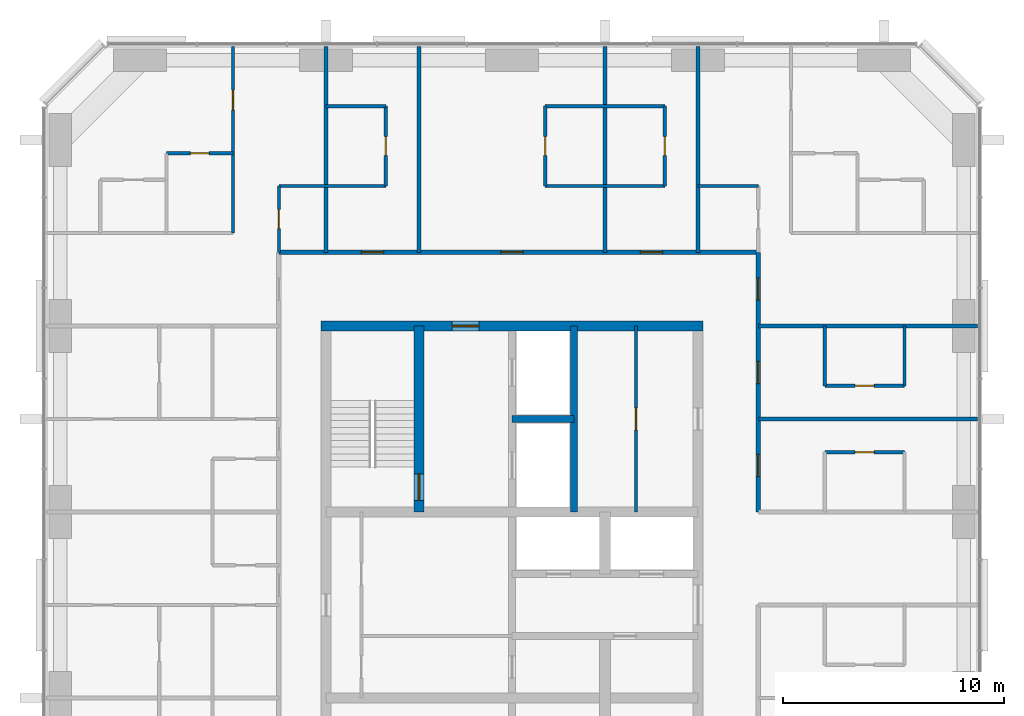
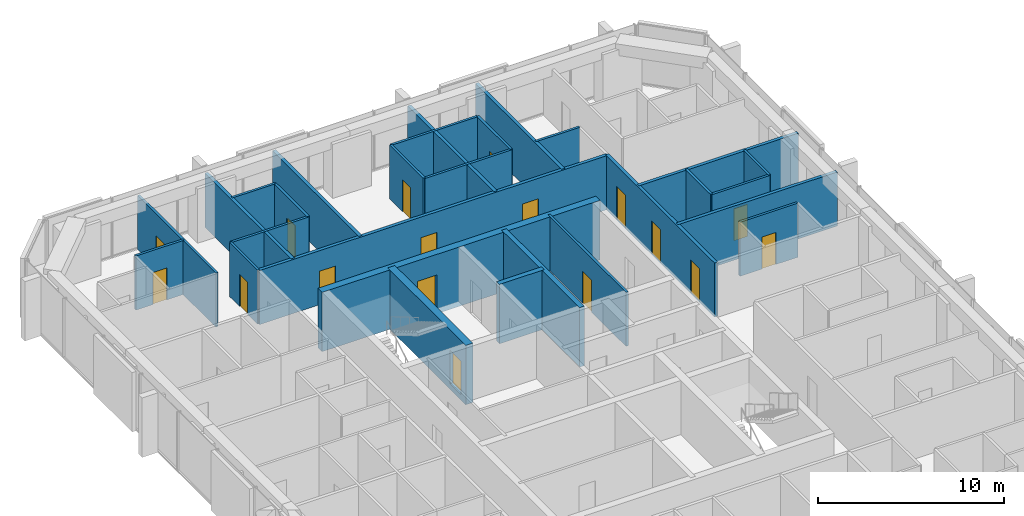
# One storey, part 10 of 12: 28 walls, 17 doors, 17 openings.
"""IFC4 building model written with IfcOpenShell, lengths in metres."""

from ifc_helpers import new_model, si_unit, direction, frame, frame_2d, origin, place, context, subcontext, project, spatial, rectangle, extrude, material, layer, layer_set, type_object, element, fill, save


model = new_model("IFC4")

# Units and contexts
model_context = context("Model", 3, precision=1e-05, world=origin(), true_north=direction((0.0, 1.0)))
body_context = subcontext(model_context, "Body", "Model", "MODEL_VIEW")
ifc_project = project(units=[si_unit("LENGTHUNIT", "METRE"), si_unit("AREAUNIT", "SQUARE_METRE"), si_unit("VOLUMEUNIT", "CUBIC_METRE"), si_unit("PLANEANGLEUNIT", "RADIAN"), si_unit("MASSUNIT", "GRAM", prefix="KILO")], contexts=[model_context])

# Site, building, storey
site_placement = place(None, origin())
site = spatial("IfcSite", under=ifc_project, at=site_placement, CompositionType="ELEMENT")
building_placement = place(site_placement, origin())
building = spatial("IfcBuilding", under=site, at=building_placement, Name="Dunama Terrace Hotel", CompositionType="ELEMENT")
storey_placement = place(building_placement, frame((0.0, 0.0, 252.89990234375)))
storey = spatial("IfcBuildingStorey", under=building, at=storey_placement, Name="L65", CompositionType="ELEMENT", Elevation=252.89990234375)

# Wall, opening, door
ifc_material_1 = material(Name="Gypsum board partition", Category="masonry")
ifc_layer_1 = layer(ifc_material_1, 0.14990234375)
ifc_layer_set_1 = layer_set([ifc_layer_1], Name="Bathroom partition 150")
wall_type_1 = type_object("IfcWallType", Name="Bathroom partition 150", PredefinedType="PARTITIONING", material=ifc_layer_set_1)
wall_1_placement = place(storey_placement, frame((23.074951171875, 45.324951171875, 0.0), z_axis=(0.0, 0.0, 1.0), x_axis=(0.0, 1.0, 0.0)))
wall_1 = element("IfcWall", 1, at=wall_1_placement, inside=storey, type_object=wall_type_1, Name="Bathroom partition 150 L65", PredefinedType="PARTITIONING", context=body_context, shape_type="SweptSolid", body=[
    extrude(rectangle(XDim=3.0, YDim=0.14990234375, at=frame_2d((1.5, 0.0))), origin(), (0.0, 0.0, 1.0), 3.550048828125),
])
opening_1_placement = place(wall_1_placement, frame((1.074951171875, 0.0, 0.0)))
opening_1 = element("IfcOpeningElement", 2, at=opening_1_placement, cuts=wall_1, Name="Opening L65-67-060", PredefinedType="OPENING", context=body_context, shape_type="SweptSolid", body=[
    extrude(rectangle(XDim=0.85009765625, YDim=2.10009765625, at=frame_2d((0.425048828125, 1.050048828125))), frame((0.0, 0.0849609375, 0.0), z_axis=(0.0, -1.0, 0.0), x_axis=(1.0, 0.0, 0.0)), (0.0, 0.0, 1.0), 0.169921875),
])
ifc_material_2 = material(Name="Timber door with steel frame", Category="steel")
door_type_1 = type_object("IfcDoorType", Name="Bathroom door 850", OperationType="SINGLE_SWING_LEFT", PredefinedType="DOOR", material=ifc_material_2)
door_1_placement = place(opening_1_placement, frame((0.85009765625, 0.0, 0.0), z_axis=(0.0, 0.0, 1.0), x_axis=(-1.0, 0.0, 0.0)))
door_1 = element("IfcDoor", 3, at=door_1_placement, inside=storey, type_object=door_type_1, Name="Door to powder room L65-67-060, type D2", OperationType="SINGLE_SWING_RIGHT", OverallHeight=2.10009765625, OverallWidth=0.85009765625, PredefinedType="DOOR", context=body_context, shape_type="SweptSolid", body=[
    extrude(rectangle(XDim=0.85009765625, YDim=2.10009765625, at=frame_2d((0.425048828125, 1.050048828125))), frame((0.0, 0.025146484375, 0.0), z_axis=(0.0, -1.0, 0.0), x_axis=(1.0, 0.0, 0.0)), (0.0, 0.0, 1.0), 0.050048828125),
])
fill(opening_1, door_1)

wall_2_placement = place(storey_placement, frame((27.89990234375, 48.324951171875, 0.0), z_axis=(0.0, 0.0, 1.0), x_axis=(0.0, 1.0, 0.0)))
wall_2 = element("IfcWall", 4, at=wall_2_placement, inside=storey, type_object=wall_type_1, Name="Bathroom partition 150 L65", PredefinedType="PARTITIONING", context=body_context, shape_type="SweptSolid", body=[
    extrude(rectangle(XDim=3.60009765625, YDim=0.14990234375, at=frame_2d((1.800048828125, 0.0))), origin(), (0.0, 0.0, 1.0), 3.550048828125),
])
opening_2_placement = place(wall_2_placement, frame((1.375, 0.0, 0.0)))
opening_2 = element("IfcOpeningElement", 5, at=opening_2_placement, cuts=wall_2, Name="Opening L65-67-024", PredefinedType="OPENING", context=body_context, shape_type="SweptSolid", body=[
    extrude(rectangle(XDim=0.85009765625, YDim=2.10009765625, at=frame_2d((0.425048828125, 1.050048828125))), frame((0.0, 0.0849609375, 0.0), z_axis=(0.0, -1.0, 0.0), x_axis=(1.0, 0.0, 0.0)), (0.0, 0.0, 1.0), 0.169921875),
])
door_2_placement = place(opening_2_placement, origin())
door_2 = element("IfcDoor", 6, at=door_2_placement, inside=storey, type_object=door_type_1, Name="Door to en-suite bathroom L65-67-024, type D2", OperationType="SINGLE_SWING_RIGHT", OverallHeight=2.10009765625, OverallWidth=0.85009765625, PredefinedType="DOOR", context=body_context, shape_type="SweptSolid", body=[
    extrude(rectangle(XDim=0.85009765625, YDim=2.10009765625, at=frame_2d((0.425048828125, 1.050048828125))), frame((0.0, 0.02490234375, 0.0), z_axis=(0.0, -1.0, 0.0), x_axis=(1.0, 0.0, 0.0)), (0.0, 0.0, 1.0), 0.050048828125),
])
fill(opening_2, door_2)

wall_3_placement = place(storey_placement, frame((35.10009765625, 48.324951171875, 0.0), z_axis=(0.0, 0.0, 1.0), x_axis=(0.0, 1.0, 0.0)))
wall_3 = element("IfcWall", 7, at=wall_3_placement, inside=storey, type_object=wall_type_1, Name="Bathroom partition 150 L65", PredefinedType="PARTITIONING", context=body_context, shape_type="SweptSolid", body=[
    extrude(rectangle(XDim=3.60009765625, YDim=0.14990234375, at=frame_2d((1.800048828125, 0.0))), origin(), (0.0, 0.0, 1.0), 3.550048828125),
])
opening_3_placement = place(wall_3_placement, frame((1.375, 0.0, 0.0)))
opening_3 = element("IfcOpeningElement", 8, at=opening_3_placement, cuts=wall_3, Name="Opening L65-67-026", PredefinedType="OPENING", context=body_context, shape_type="SweptSolid", body=[
    extrude(rectangle(XDim=0.85009765625, YDim=2.10009765625, at=frame_2d((0.425048828125, 1.050048828125))), frame((0.0, 0.0849609375, 0.0), z_axis=(0.0, -1.0, 0.0), x_axis=(1.0, 0.0, 0.0)), (0.0, 0.0, 1.0), 0.169921875),
])
door_3_placement = place(opening_3_placement, frame((0.85009765625, 0.0, 0.0), z_axis=(0.0, 0.0, 1.0), x_axis=(-1.0, 0.0, 0.0)))
door_3 = element("IfcDoor", 9, at=door_3_placement, inside=storey, type_object=door_type_1, Name="Door to en-suite bathroom L65-67-026, type D2", OperationType="SINGLE_SWING_LEFT", OverallHeight=2.10009765625, OverallWidth=0.85009765625, PredefinedType="DOOR", context=body_context, shape_type="SweptSolid", body=[
    extrude(rectangle(XDim=0.85009765625, YDim=2.10009765625, at=frame_2d((0.425048828125, 1.050048828125))), frame((0.0, 0.025146484375, 0.0), z_axis=(0.0, -1.0, 0.0), x_axis=(1.0, 0.0, 0.0)), (0.0, 0.0, 1.0), 0.050048828125),
])
fill(opening_3, door_3)

wall_4_placement = place(storey_placement, frame((40.5, 48.324951171875, 0.0), z_axis=(0.0, 0.0, 1.0), x_axis=(0.0, 1.0, 0.0)))
wall_4 = element("IfcWall", 10, at=wall_4_placement, inside=storey, type_object=wall_type_1, Name="Bathroom partition 150 L65", PredefinedType="PARTITIONING", context=body_context, shape_type="SweptSolid", body=[
    extrude(rectangle(XDim=3.60009765625, YDim=0.14990234375, at=frame_2d((1.800048828125, 0.0))), origin(), (0.0, 0.0, 1.0), 3.550048828125),
])
opening_4_placement = place(wall_4_placement, frame((1.375, 0.0, 0.0)))
opening_4 = element("IfcOpeningElement", 11, at=opening_4_placement, cuts=wall_4, Name="Opening L65-67-028", PredefinedType="OPENING", context=body_context, shape_type="SweptSolid", body=[
    extrude(rectangle(XDim=0.85009765625, YDim=2.10009765625, at=frame_2d((0.425048828125, 1.050048828125))), frame((0.0, 0.0849609375, 0.0), z_axis=(0.0, -1.0, 0.0), x_axis=(1.0, 0.0, 0.0)), (0.0, 0.0, 1.0), 0.169921875),
])
door_4_placement = place(opening_4_placement, origin())
door_4 = element("IfcDoor", 12, at=door_4_placement, inside=storey, type_object=door_type_1, Name="Door to en-suite bathroom L65-67-028, type D2", OperationType="SINGLE_SWING_RIGHT", OverallHeight=2.10009765625, OverallWidth=0.85009765625, PredefinedType="DOOR", context=body_context, shape_type="SweptSolid", body=[
    extrude(rectangle(XDim=0.85009765625, YDim=2.10009765625, at=frame_2d((0.425048828125, 1.050048828125))), frame((0.0, 0.02490234375, 0.0), z_axis=(0.0, -1.0, 0.0), x_axis=(1.0, 0.0, 0.0)), (0.0, 0.0, 1.0), 0.050048828125),
])
fill(opening_4, door_4)

# Walls
for number, where, z_axis, x_axis, name in (
    (13, (47.72509765625, 39.300048828125, 0.0), (0.0, 0.0, 1.0), (0.0, 1.0, 0.0), "Bathroom partition 150 L65"),
    (14, (51.324951171875, 39.300048828125, 0.0), (0.0, 0.0, 1.0), (0.0, 1.0, 0.0), "Bathroom partition 150 L65"),
):
    element("IfcWall", number, at=place(storey_placement, frame(where, z_axis=z_axis, x_axis=x_axis)), inside=storey, type_object=wall_type_1, Name=name, PredefinedType="PARTITIONING", context=body_context, shape_type="SweptSolid", body=[
        extrude(rectangle(XDim=2.699951171875, YDim=0.14990234375, at=frame_2d((1.35009765625, 0.0))), origin(), (0.0, 0.0, 1.0), 3.550048828125),
    ])

# Wall, opening, door
wall_5_placement = place(storey_placement, frame((47.72509765625, 36.300048828125, 0.0), z_axis=(0.0, 0.0, 1.0), x_axis=(1.0, 0.0, 0.0)))
wall_5 = element("IfcWall", 15, at=wall_5_placement, inside=storey, type_object=wall_type_1, Name="Bathroom partition 150 L65", PredefinedType="PARTITIONING", context=body_context, shape_type="SweptSolid", body=[
    extrude(rectangle(XDim=3.599853515625, YDim=0.14990234375, at=frame_2d((1.7998046875, 0.0))), origin(), (0.0, 0.0, 1.0), 3.550048828125),
])
opening_5_placement = place(wall_5_placement, frame((1.375, 0.0, 0.0)))
opening_5 = element("IfcOpeningElement", 16, at=opening_5_placement, cuts=wall_5, Name="Opening L65-67-020", PredefinedType="OPENING", context=body_context, shape_type="SweptSolid", body=[
    extrude(rectangle(XDim=0.85009765625, YDim=2.10009765625, at=frame_2d((0.425048828125, 1.050048828125))), frame((0.0, 0.0849609375, 0.0), z_axis=(0.0, -1.0, 0.0), x_axis=(1.0, 0.0, 0.0)), (0.0, 0.0, 1.0), 0.169921875),
])
door_5_placement = place(opening_5_placement, frame((0.85009765625, 0.0, 0.0), z_axis=(0.0, 0.0, 1.0), x_axis=(-1.0, 0.0, 0.0)))
door_5 = element("IfcDoor", 17, at=door_5_placement, inside=storey, type_object=door_type_1, Name="Door to en-suite bathroom L65-67-020, type D2", OperationType="SINGLE_SWING_RIGHT", OverallHeight=2.10009765625, OverallWidth=0.85009765625, PredefinedType="DOOR", context=body_context, shape_type="SweptSolid", body=[
    extrude(rectangle(XDim=0.85009765625, YDim=2.10009765625, at=frame_2d((0.425048828125, 1.050048828125))), frame((0.0, 0.025146484375, 0.0), z_axis=(0.0, -1.0, 0.0), x_axis=(1.0, 0.0, 0.0)), (0.0, 0.0, 1.0), 0.050048828125),
])
fill(opening_5, door_5)

wall_6_placement = place(storey_placement, frame((47.72509765625, 39.300048828125, 0.0), z_axis=(0.0, 0.0, 1.0), x_axis=(1.0, 0.0, 0.0)))
wall_6 = element("IfcWall", 18, at=wall_6_placement, inside=storey, type_object=wall_type_1, Name="Bathroom partition 150 L65", PredefinedType="PARTITIONING", context=body_context, shape_type="SweptSolid", body=[
    extrude(rectangle(XDim=3.599853515625, YDim=0.14990234375, at=frame_2d((1.7998046875, 0.0))), origin(), (0.0, 0.0, 1.0), 3.550048828125),
])
opening_6_placement = place(wall_6_placement, frame((1.375, 0.0, 0.0)))
opening_6 = element("IfcOpeningElement", 19, at=opening_6_placement, cuts=wall_6, Name="Opening L65-67-022", PredefinedType="OPENING", context=body_context, shape_type="SweptSolid", body=[
    extrude(rectangle(XDim=0.85009765625, YDim=2.10009765625, at=frame_2d((0.425048828125, 1.050048828125))), frame((0.0, 0.0849609375, 0.0), z_axis=(0.0, -1.0, 0.0), x_axis=(1.0, 0.0, 0.0)), (0.0, 0.0, 1.0), 0.169921875),
])
door_6_placement = place(opening_6_placement, origin())
door_6 = element("IfcDoor", 20, at=door_6_placement, inside=storey, type_object=door_type_1, Name="Door to en-suite bathroom L65-67-022, type D2", OperationType="SINGLE_SWING_LEFT", OverallHeight=2.10009765625, OverallWidth=0.85009765625, PredefinedType="DOOR", context=body_context, shape_type="SweptSolid", body=[
    extrude(rectangle(XDim=0.85009765625, YDim=2.10009765625, at=frame_2d((0.425048828125, 1.050048828125))), frame((0.0, 0.02490234375, 0.0), z_axis=(0.0, -1.0, 0.0), x_axis=(1.0, 0.0, 0.0)), (0.0, 0.0, 1.0), 0.050048828125),
])
fill(opening_6, door_6)

# Walls
wall_7_placement = place(storey_placement, frame((23.074951171875, 48.324951171875, 0.0), z_axis=(0.0, 0.0, 1.0), x_axis=(1.0, 0.0, 0.0)))
element("IfcWall", 21, at=wall_7_placement, inside=storey, type_object=wall_type_1, Name="Bathroom partition 150 L65", PredefinedType="PARTITIONING", context=body_context, shape_type="SweptSolid", body=[
    extrude(rectangle(XDim=4.824951171875, YDim=0.14990234375, at=frame_2d((2.41259765625, 0.0))), origin(), (0.0, 0.0, 1.0), 3.550048828125),
])
wall_8_placement = place(storey_placement, frame((35.10009765625, 48.324951171875, 0.0), z_axis=(0.0, 0.0, 1.0), x_axis=(1.0, 0.0, 0.0)))
element("IfcWall", 22, at=wall_8_placement, inside=storey, type_object=wall_type_1, Name="Bathroom partition 150 L65", PredefinedType="PARTITIONING", context=body_context, shape_type="SweptSolid", body=[
    extrude(rectangle(XDim=5.39990234375, YDim=0.14990234375, at=frame_2d((2.699951171875, 0.0))), origin(), (0.0, 0.0, 1.0), 3.550048828125),
])
wall_9_placement = place(storey_placement, frame((42.0, 48.324951171875, 0.0), z_axis=(0.0, 0.0, 1.0), x_axis=(1.0, 0.0, 0.0)))
element("IfcWall", 23, at=wall_9_placement, inside=storey, type_object=wall_type_1, Name="Bathroom partition 150 L65", PredefinedType="PARTITIONING", context=body_context, shape_type="SweptSolid", body=[
    extrude(rectangle(XDim=2.72509765625, YDim=0.14990234375, at=frame_2d((1.362548828125, 0.0))), origin(), (0.0, 0.0, 1.0), 3.550048828125),
])

# Wall, opening, door
wall_10_placement = place(storey_placement, frame((18.0, 49.800048828125, 0.0), z_axis=(0.0, 0.0, 1.0), x_axis=(1.0, 0.0, 0.0)))
wall_10 = element("IfcWall", 24, at=wall_10_placement, inside=storey, type_object=wall_type_1, Name="Bathroom partition 150 L65", PredefinedType="PARTITIONING", context=body_context, shape_type="SweptSolid", body=[
    extrude(rectangle(XDim=3.0, YDim=0.14990234375, at=frame_2d((1.5, 0.0))), origin(), (0.0, 0.0, 1.0), 3.550048828125),
])
opening_7_placement = place(wall_10_placement, frame((1.074951171875, 0.0, 0.0)))
opening_7 = element("IfcOpeningElement", 25, at=opening_7_placement, cuts=wall_10, Name="Opening L65-67-062", PredefinedType="OPENING", context=body_context, shape_type="SweptSolid", body=[
    extrude(rectangle(XDim=0.85009765625, YDim=2.10009765625, at=frame_2d((0.425048828125, 1.050048828125))), frame((0.0, 0.0849609375, 0.0), z_axis=(0.0, -1.0, 0.0), x_axis=(1.0, 0.0, 0.0)), (0.0, 0.0, 1.0), 0.169921875),
])
door_7_placement = place(opening_7_placement, frame((0.85009765625, 0.0, 0.0), z_axis=(0.0, 0.0, 1.0), x_axis=(-1.0, 0.0, 0.0)))
door_7 = element("IfcDoor", 26, at=door_7_placement, inside=storey, type_object=door_type_1, Name="Door to en-suite bathroom L65-67-062, type D2", OperationType="SINGLE_SWING_RIGHT", OverallHeight=2.10009765625, OverallWidth=0.85009765625, PredefinedType="DOOR", context=body_context, shape_type="SweptSolid", body=[
    extrude(rectangle(XDim=0.85009765625, YDim=2.10009765625, at=frame_2d((0.425048828125, 1.050048828125))), frame((0.0, 0.025146484375, 0.0), z_axis=(0.0, -1.0, 0.0), x_axis=(1.0, 0.0, 0.0)), (0.0, 0.0, 1.0), 0.050048828125),
])
fill(opening_7, door_7)

# Walls
wall_11_placement = place(storey_placement, frame((25.199951171875, 51.925048828125, 0.0), z_axis=(0.0, 0.0, 1.0), x_axis=(1.0, 0.0, 0.0)))
element("IfcWall", 27, at=wall_11_placement, inside=storey, type_object=wall_type_1, Name="Bathroom partition 150 L65", PredefinedType="PARTITIONING", context=body_context, shape_type="SweptSolid", body=[
    extrude(rectangle(XDim=2.699951171875, YDim=0.14990234375, at=frame_2d((1.35009765625, 0.0))), origin(), (0.0, 0.0, 1.0), 3.550048828125),
])
wall_12_placement = place(storey_placement, frame((35.10009765625, 51.925048828125, 0.0), z_axis=(0.0, 0.0, 1.0), x_axis=(1.0, 0.0, 0.0)))
element("IfcWall", 28, at=wall_12_placement, inside=storey, type_object=wall_type_1, Name="Bathroom partition 150 L65", PredefinedType="PARTITIONING", context=body_context, shape_type="SweptSolid", body=[
    extrude(rectangle(XDim=5.39990234375, YDim=0.14990234375, at=frame_2d((2.699951171875, 0.0))), origin(), (0.0, 0.0, 1.0), 3.550048828125),
])
ifc_material_3 = material(Name="Concrete C50/60", Category="concrete")
ifc_layer_2 = layer(ifc_material_3, 0.300048828125)
ifc_layer_set_2 = layer_set([ifc_layer_2], Name="Core inner wall 300")
wall_type_2 = type_object("IfcWallType", Name="Core inner wall 300", PredefinedType="SHEAR", material=ifc_layer_set_2)
wall_13_placement = place(storey_placement, frame((36.39990234375, 33.60009765625, -0.349853515625), z_axis=(0.0, 0.0, 1.0), x_axis=(0.0, 1.0, 0.0)))
element("IfcWall", 29, at=wall_13_placement, inside=storey, type_object=wall_type_2, Name="Core inner wall 300 L65", PredefinedType="SHEAR", context=body_context, shape_type="SweptSolid", body=[
    extrude(rectangle(XDim=8.39990234375, YDim=0.300048828125, at=frame_2d((4.199951171875, 0.0))), origin(), (0.0, 0.0, 1.0), 3.89990234375),
])
wall_14_placement = place(storey_placement, frame((33.60009765625, 37.800048828125, -0.349853515625), z_axis=(0.0, 0.0, 1.0), x_axis=(1.0, 0.0, 0.0)))
element("IfcWall", 30, at=wall_14_placement, inside=storey, type_object=wall_type_2, Name="Core inner wall 300 L65", PredefinedType="SHEAR", context=body_context, shape_type="SweptSolid", body=[
    extrude(rectangle(XDim=2.7998046875, YDim=0.300048828125, at=frame_2d((1.39990234375, 0.0))), origin(), (0.0, 0.0, 1.0), 3.89990234375),
])

# Wall, opening, door
ifc_material_4 = material(Name="Concrete C50/60", Category="concrete")
ifc_layer_3 = layer(ifc_material_4, 0.449951171875)
ifc_layer_set_3 = layer_set([ifc_layer_3], Name="Core inner wall 450")
wall_type_3 = type_object("IfcWallType", Name="Core inner wall 450", PredefinedType="SHEAR", material=ifc_layer_set_3)
wall_15_placement = place(storey_placement, frame((29.39990234375, 33.60009765625, -0.349853515625), z_axis=(0.0, 0.0, 1.0), x_axis=(0.0, 1.0, 0.0)))
wall_15 = element("IfcWall", 31, at=wall_15_placement, inside=storey, type_object=wall_type_3, Name="Core inner wall 450 L65", PredefinedType="SHEAR", context=body_context, shape_type="SweptSolid", body=[
    extrude(rectangle(XDim=8.39990234375, YDim=0.449951171875, at=frame_2d((4.199951171875, 0.0))), origin(), (0.0, 0.0, 1.0), 3.89990234375),
])
opening_8_placement = place(wall_15_placement, frame((0.52490234375, 0.0, 0.35009765625)))
opening_8 = element("IfcOpeningElement", 32, at=opening_8_placement, cuts=wall_15, Name="Opening L65-67-001", PredefinedType="OPENING", context=body_context, shape_type="SweptSolid", body=[
    extrude(rectangle(XDim=1.199951171875, YDim=2.199951171875, at=frame_2d((0.60009765625, 1.10009765625))), frame((0.0, 0.23486328125, 0.0), z_axis=(0.0, -1.0, 0.0), x_axis=(1.0, 0.0, 0.0)), (0.0, 0.0, 1.0), 0.469970703125),
])
ifc_material_5 = material(Name="Timber door with steel frame", Category="steel")
door_type_2 = type_object("IfcDoorType", Name="Stair door 1200", OperationType="SINGLE_SWING_LEFT", PredefinedType="DOOR", material=ifc_material_5)
door_8_placement = place(opening_8_placement, origin())
door_8 = element("IfcDoor", 33, at=door_8_placement, inside=storey, type_object=door_type_2, Name="Stair door ST1 L65-67-001, type D5", OperationType="SINGLE_SWING_LEFT", OverallHeight=2.199951171875, OverallWidth=1.199951171875, PredefinedType="DOOR", context=body_context, shape_type="SweptSolid", body=[
    extrude(rectangle(XDim=1.199951171875, YDim=2.199951171875, at=frame_2d((0.60009765625, 1.10009765625))), frame((0.0, 0.02490234375, 0.0), z_axis=(0.0, -1.0, 0.0), x_axis=(1.0, 0.0, 0.0)), (0.0, 0.0, 1.0), 0.050048828125),
])
fill(opening_8, door_8)

ifc_material_6 = material(Name="Concrete C50/60", Category="concrete")
ifc_layer_4 = layer(ifc_material_6, 0.449951171875)
ifc_layer_set_4 = layer_set([ifc_layer_4], Name="Core wall 450")
wall_type_4 = type_object("IfcWallType", Name="Core wall 450", PredefinedType="SHEAR", material=ifc_layer_set_4)
wall_16_placement = place(storey_placement, frame((42.22509765625, 42.0, -0.349853515625), z_axis=(0.0, 0.0, 1.0), x_axis=(-1.0, 0.0, 0.0)))
wall_16 = element("IfcWall", 34, at=wall_16_placement, inside=storey, type_object=wall_type_4, Name="Core wall north L65", PredefinedType="SHEAR", context=body_context, shape_type="SweptSolid", body=[
    extrude(rectangle(XDim=17.25, YDim=0.449951171875, at=frame_2d((8.625, 0.0))), origin(), (0.0, 0.0, 1.0), 3.89990234375),
])
opening_9_placement = place(wall_16_placement, frame((10.125, 0.0, 0.35009765625)))
opening_9 = element("IfcOpeningElement", 35, at=opening_9_placement, cuts=wall_16, Name="Opening L65-67-070", PredefinedType="OPENING", context=body_context, shape_type="SweptSolid", body=[
    extrude(rectangle(XDim=1.199951171875, YDim=2.199951171875, at=frame_2d((0.60009765625, 1.10009765625))), frame((0.0, 0.23486328125, 0.0), z_axis=(0.0, -1.0, 0.0), x_axis=(1.0, 0.0, 0.0)), (0.0, 0.0, 1.0), 0.469970703125),
])
ifc_material_7 = material(Name="Timber door with steel frame", Category="steel")
door_type_3 = type_object("IfcDoorType", Name="Firefighting lobby door 1200", OperationType="SINGLE_SWING_LEFT", PredefinedType="DOOR", material=ifc_material_7)
door_9_placement = place(opening_9_placement, origin())
door_9 = element("IfcDoor", 36, at=door_9_placement, inside=storey, type_object=door_type_3, Name="Door to firefighting lobby L65-67-070, type D4", OperationType="SINGLE_SWING_RIGHT", OverallHeight=2.199951171875, OverallWidth=1.199951171875, PredefinedType="DOOR", context=body_context, shape_type="SweptSolid", body=[
    extrude(rectangle(XDim=1.199951171875, YDim=2.199951171875, at=frame_2d((0.60009765625, 1.10009765625))), frame((0.0, 0.02490234375, 0.0), z_axis=(0.0, -1.0, 0.0), x_axis=(1.0, 0.0, 0.0)), (0.0, 0.0, 1.0), 0.050048828125),
])
fill(opening_9, door_9)

# Wall, openings, doors
ifc_material_8 = material(Name="Concrete blockwork", Category="masonry")
ifc_layer_5 = layer(ifc_material_8, 0.199951171875)
ifc_layer_set_5 = layer_set([ifc_layer_5], Name="Corridor partition 200")
wall_type_5 = type_object("IfcWallType", Name="Corridor partition 200", PredefinedType="PARTITIONING", material=ifc_layer_set_5)
wall_17_placement = place(storey_placement, frame((23.074951171875, 45.324951171875, 0.0), z_axis=(0.0, 0.0, 1.0), x_axis=(1.0, 0.0, 0.0)))
wall_17 = element("IfcWall", 37, at=wall_17_placement, inside=storey, type_object=wall_type_5, Name="Corridor partition 200 L65", PredefinedType="PARTITIONING", context=body_context, shape_type="SweptSolid", body=[
    extrude(rectangle(XDim=21.650146484375, YDim=0.199951171875, at=frame_2d((10.8251953125, 0.0))), origin(), (0.0, 0.0, 1.0), 3.550048828125),
])
opening_10_placement = place(wall_17_placement, frame((3.72509765625, 0.0, 0.0)))
opening_10 = element("IfcOpeningElement", 38, at=opening_10_placement, cuts=wall_17, Name="Opening L65-67-023", PredefinedType="OPENING", context=body_context, shape_type="SweptSolid", body=[
    extrude(rectangle(XDim=1.0, YDim=2.199951171875, at=frame_2d((0.5, 1.10009765625))), frame((0.0, 0.10986328125, 0.0), z_axis=(0.0, -1.0, 0.0), x_axis=(1.0, 0.0, 0.0)), (0.0, 0.0, 1.0), 0.219970703125),
])
opening_11_placement = place(wall_17_placement, frame((10.02490234375, 0.0, 0.0)))
opening_11 = element("IfcOpeningElement", 39, at=opening_11_placement, cuts=wall_17, Name="Opening L65-67-025", PredefinedType="OPENING", context=body_context, shape_type="SweptSolid", body=[
    extrude(rectangle(XDim=1.0, YDim=2.199951171875, at=frame_2d((0.5, 1.10009765625))), frame((0.0, 0.10986328125, 0.0), z_axis=(0.0, -1.0, 0.0), x_axis=(1.0, 0.0, 0.0)), (0.0, 0.0, 1.0), 0.219970703125),
])
opening_12_placement = place(wall_17_placement, frame((16.324951171875, 0.0, 0.0)))
opening_12 = element("IfcOpeningElement", 40, at=opening_12_placement, cuts=wall_17, Name="Opening L65-67-027", PredefinedType="OPENING", context=body_context, shape_type="SweptSolid", body=[
    extrude(rectangle(XDim=1.0, YDim=2.199951171875, at=frame_2d((0.5, 1.10009765625))), frame((0.0, 0.10986328125, 0.0), z_axis=(0.0, -1.0, 0.0), x_axis=(1.0, 0.0, 0.0)), (0.0, 0.0, 1.0), 0.219970703125),
])
ifc_material_9 = material(Name="Timber door with steel frame", Category="steel")
door_type_4 = type_object("IfcDoorType", Name="Guest room door 1000", OperationType="SINGLE_SWING_LEFT", PredefinedType="DOOR", material=ifc_material_9)
door_10_placement = place(opening_10_placement, origin())
door_10 = element("IfcDoor", 41, at=door_10_placement, inside=storey, type_object=door_type_4, Name="Door to studio suite L65-67-023, type D1", OperationType="SINGLE_SWING_RIGHT", OverallHeight=2.199951171875, OverallWidth=1.0, PredefinedType="DOOR", context=body_context, shape_type="SweptSolid", body=[
    extrude(rectangle(XDim=1.0, YDim=2.199951171875, at=frame_2d((0.5, 1.10009765625))), frame((0.0, 0.02490234375, 0.0), z_axis=(0.0, -1.0, 0.0), x_axis=(1.0, 0.0, 0.0)), (0.0, 0.0, 1.0), 0.050048828125),
])
fill(opening_10, door_10)
door_11_placement = place(opening_11_placement, origin())
door_11 = element("IfcDoor", 42, at=door_11_placement, inside=storey, type_object=door_type_4, Name="Door to junior suite L65-67-025, type D1", OperationType="SINGLE_SWING_RIGHT", OverallHeight=2.199951171875, OverallWidth=1.0, PredefinedType="DOOR", context=body_context, shape_type="SweptSolid", body=[
    extrude(rectangle(XDim=1.0, YDim=2.199951171875, at=frame_2d((0.5, 1.10009765625))), frame((0.0, 0.02490234375, 0.0), z_axis=(0.0, -1.0, 0.0), x_axis=(1.0, 0.0, 0.0)), (0.0, 0.0, 1.0), 0.050048828125),
])
fill(opening_11, door_11)
door_12_placement = place(opening_12_placement, origin())
door_12 = element("IfcDoor", 43, at=door_12_placement, inside=storey, type_object=door_type_4, Name="Door to studio suite L65-67-027, type D1", OperationType="SINGLE_SWING_LEFT", OverallHeight=2.199951171875, OverallWidth=1.0, PredefinedType="DOOR", context=body_context, shape_type="SweptSolid", body=[
    extrude(rectangle(XDim=1.0, YDim=2.199951171875, at=frame_2d((0.5, 1.10009765625))), frame((0.0, 0.02490234375, 0.0), z_axis=(0.0, -1.0, 0.0), x_axis=(1.0, 0.0, 0.0)), (0.0, 0.0, 1.0), 0.050048828125),
])
fill(opening_12, door_12)

wall_18_placement = place(storey_placement, frame((44.72509765625, 45.324951171875, 0.0), z_axis=(0.0, 0.0, 1.0), x_axis=(0.0, -1.0, 0.0)))
wall_18 = element("IfcWall", 44, at=wall_18_placement, inside=storey, type_object=wall_type_5, Name="Corridor partition 200 L65", PredefinedType="PARTITIONING", context=body_context, shape_type="SweptSolid", body=[
    extrude(rectangle(XDim=11.724853515625, YDim=0.199951171875, at=frame_2d((5.8623046875, 0.0))), origin(), (0.0, 0.0, 1.0), 3.550048828125),
])
opening_13_placement = place(wall_18_placement, frame((9.125, 0.0, 0.0)))
opening_13 = element("IfcOpeningElement", 45, at=opening_13_placement, cuts=wall_18, Name="Opening L65-67-019", PredefinedType="OPENING", context=body_context, shape_type="SweptSolid", body=[
    extrude(rectangle(XDim=1.0, YDim=2.199951171875, at=frame_2d((0.5, 1.10009765625))), frame((0.0, 0.10986328125, 0.0), z_axis=(0.0, -1.0, 0.0), x_axis=(1.0, 0.0, 0.0)), (0.0, 0.0, 1.0), 0.219970703125),
])
opening_14_placement = place(wall_18_placement, frame((4.925048828125, 0.0, 0.0)))
opening_14 = element("IfcOpeningElement", 46, at=opening_14_placement, cuts=wall_18, Name="Opening L65-67-021", PredefinedType="OPENING", context=body_context, shape_type="SweptSolid", body=[
    extrude(rectangle(XDim=1.0, YDim=2.199951171875, at=frame_2d((0.5, 1.10009765625))), frame((0.0, 0.10986328125, 0.0), z_axis=(0.0, -1.0, 0.0), x_axis=(1.0, 0.0, 0.0)), (0.0, 0.0, 1.0), 0.219970703125),
])
opening_15_placement = place(wall_18_placement, frame((1.162109375, 0.0, 0.0)))
opening_15 = element("IfcOpeningElement", 47, at=opening_15_placement, cuts=wall_18, Name="Opening L65-67-054", PredefinedType="OPENING", context=body_context, shape_type="SweptSolid", body=[
    extrude(rectangle(XDim=1.0, YDim=2.199951171875, at=frame_2d((0.5, 1.10009765625))), frame((0.0, 0.10986328125, 0.0), z_axis=(0.0, -1.0, 0.0), x_axis=(1.0, 0.0, 0.0)), (0.0, 0.0, 1.0), 0.219970703125),
])
door_13_placement = place(opening_13_placement, origin())
door_13 = element("IfcDoor", 48, at=door_13_placement, inside=storey, type_object=door_type_4, Name="Door to studio suite L65-67-019, type D1", OperationType="SINGLE_SWING_LEFT", OverallHeight=2.199951171875, OverallWidth=1.0, PredefinedType="DOOR", context=body_context, shape_type="SweptSolid", body=[
    extrude(rectangle(XDim=1.0, YDim=2.199951171875, at=frame_2d((0.5, 1.10009765625))), frame((0.0, 0.02490234375, 0.0), z_axis=(0.0, -1.0, 0.0), x_axis=(1.0, 0.0, 0.0)), (0.0, 0.0, 1.0), 0.050048828125),
])
fill(opening_13, door_13)
door_14_placement = place(opening_14_placement, origin())
door_14 = element("IfcDoor", 49, at=door_14_placement, inside=storey, type_object=door_type_4, Name="Door to studio suite L65-67-021, type D1", OperationType="SINGLE_SWING_LEFT", OverallHeight=2.199951171875, OverallWidth=1.0, PredefinedType="DOOR", context=body_context, shape_type="SweptSolid", body=[
    extrude(rectangle(XDim=1.0, YDim=2.199951171875, at=frame_2d((0.5, 1.10009765625))), frame((0.0, 0.02490234375, 0.0), z_axis=(0.0, -1.0, 0.0), x_axis=(1.0, 0.0, 0.0)), (0.0, 0.0, 1.0), 0.050048828125),
])
fill(opening_14, door_14)
door_15_placement = place(opening_15_placement, origin())
door_15 = element("IfcDoor", 50, at=door_15_placement, inside=storey, type_object=door_type_4, Name="Door to grand corner suite living room L65-67-054, type D1", OperationType="SINGLE_SWING_LEFT", OverallHeight=2.199951171875, OverallWidth=1.0, PredefinedType="DOOR", context=body_context, shape_type="SweptSolid", body=[
    extrude(rectangle(XDim=1.0, YDim=2.199951171875, at=frame_2d((0.5, 1.10009765625))), frame((0.0, 0.02490234375, 0.0), z_axis=(0.0, -1.0, 0.0), x_axis=(1.0, 0.0, 0.0)), (0.0, 0.0, 1.0), 0.050048828125),
])
fill(opening_15, door_15)

# Walls
ifc_material_10 = material(Name="Concrete blockwork", Category="masonry")
ifc_layer_6 = layer(ifc_material_10, 0.199951171875)
ifc_layer_set_6 = layer_set([ifc_layer_6], Name="Party wall 200")
wall_type_6 = type_object("IfcWallType", Name="Party wall 200", PredefinedType="PARTITIONING", material=ifc_layer_set_6)
for number, where, z_axis, x_axis, name in (
    (51, (25.199951171875, 45.324951171875, 0.0), (0.0, 0.0, 1.0), (0.0, 1.0, 0.0), "Party wall 200 L65"),
    (52, (29.39990234375, 45.324951171875, 0.0), (0.0, 0.0, 1.0), (0.0, 1.0, 0.0), "Party wall 200 L65"),
    (53, (37.800048828125, 45.324951171875, 0.0), (0.0, 0.0, 1.0), (0.0, 1.0, 0.0), "Party wall 200 L65"),
    (54, (42.0, 45.324951171875, 0.0), (0.0, 0.0, 1.0), (0.0, 1.0, 0.0), "Party wall 200 L65"),
):
    element("IfcWall", number, at=place(storey_placement, frame(where, z_axis=z_axis, x_axis=x_axis)), inside=storey, type_object=wall_type_6, Name=name, PredefinedType="PARTITIONING", context=body_context, shape_type="SweptSolid", body=[
        extrude(rectangle(XDim=9.29296875, YDim=0.199951171875, at=frame_2d((4.646484375, 0.0))), origin(), (0.0, 0.0, 1.0), 3.550048828125),
    ])
for number, where, z_axis, x_axis, name in (
    (55, (44.72509765625, 37.800048828125, 0.0), (0.0, 0.0, 1.0), (1.0, 0.0, 0.0), "Party wall 200 L65"),
    (56, (44.72509765625, 42.0, 0.0), (0.0, 0.0, 1.0), (1.0, 0.0, 0.0), "Party wall 200 L65"),
):
    element("IfcWall", number, at=place(storey_placement, frame(where, z_axis=z_axis, x_axis=x_axis)), inside=storey, type_object=wall_type_6, Name=name, PredefinedType="PARTITIONING", context=body_context, shape_type="SweptSolid", body=[
        extrude(rectangle(XDim=9.892822265625, YDim=0.199951171875, at=frame_2d((4.9462890625, 0.0))), origin(), (0.0, 0.0, 1.0), 3.550048828125),
    ])

# Wall, opening, door
ifc_material_11 = material(Name="Gypsum board partition", Category="masonry")
ifc_layer_7 = layer(ifc_material_11, 0.14990234375)
ifc_layer_set_7 = layer_set([ifc_layer_7], Name="Room partition 150")
wall_type_7 = type_object("IfcWallType", Name="Room partition 150", PredefinedType="PARTITIONING", material=ifc_layer_set_7)
wall_19_placement = place(storey_placement, frame((21.0, 46.199951171875, 0.0), z_axis=(0.0, 0.0, 1.0), x_axis=(0.0, 1.0, 0.0)))
wall_19 = element("IfcWall", 57, at=wall_19_placement, inside=storey, type_object=wall_type_7, Name="Room partition 150 L65", PredefinedType="PARTITIONING", context=body_context, shape_type="SweptSolid", body=[
    extrude(rectangle(XDim=8.41796875, YDim=0.14990234375, at=frame_2d((4.208984375, 0.0))), origin(), (0.0, 0.0, 1.0), 3.550048828125),
])
opening_16_placement = place(wall_19_placement, frame((5.550048828125, 0.0, 0.0)))
opening_16 = element("IfcOpeningElement", 58, at=opening_16_placement, cuts=wall_19, Name="Opening L65-67-061", PredefinedType="OPENING", context=body_context, shape_type="SweptSolid", body=[
    extrude(rectangle(XDim=0.89990234375, YDim=2.10009765625, at=frame_2d((0.449951171875, 1.050048828125))), frame((0.0, 0.0849609375, 0.0), z_axis=(0.0, -1.0, 0.0), x_axis=(1.0, 0.0, 0.0)), (0.0, 0.0, 1.0), 0.169921875),
])
ifc_material_12 = material(Name="Timber door with steel frame", Category="steel")
door_type_5 = type_object("IfcDoorType", Name="Suite internal door 900", OperationType="SINGLE_SWING_LEFT", PredefinedType="DOOR", material=ifc_material_12)
door_16_placement = place(opening_16_placement, origin())
door_16 = element("IfcDoor", 59, at=door_16_placement, inside=storey, type_object=door_type_5, Name="Door to grand corner suite bedroom L65-67-061, type D16", OperationType="SINGLE_SWING_LEFT", OverallHeight=2.10009765625, OverallWidth=0.89990234375, PredefinedType="DOOR", context=body_context, shape_type="SweptSolid", body=[
    extrude(rectangle(XDim=0.89990234375, YDim=2.10009765625, at=frame_2d((0.449951171875, 1.050048828125))), frame((0.0, 0.02490234375, 0.0), z_axis=(0.0, -1.0, 0.0), x_axis=(1.0, 0.0, 0.0)), (0.0, 0.0, 1.0), 0.050048828125),
])
fill(opening_16, door_16)

wall_20_placement = place(storey_placement, frame((39.199951171875, 33.60009765625, 0.0), z_axis=(0.0, 0.0, 1.0), x_axis=(0.0, 1.0, 0.0)))
wall_20 = element("IfcWall", 60, at=wall_20_placement, inside=storey, type_object=wall_type_7, Name="Room partition 150 L65", PredefinedType="PARTITIONING", context=body_context, shape_type="SweptSolid", body=[
    extrude(rectangle(XDim=8.39990234375, YDim=0.14990234375, at=frame_2d((4.199951171875, 0.0))), origin(), (0.0, 0.0, 1.0), 3.550048828125),
])
opening_17_placement = place(wall_20_placement, frame((3.699951171875, 0.0, 0.0)))
opening_17 = element("IfcOpeningElement", 61, at=opening_17_placement, cuts=wall_20, Name="Opening L65-67-072", PredefinedType="OPENING", context=body_context, shape_type="SweptSolid", body=[
    extrude(rectangle(XDim=1.0, YDim=2.10009765625, at=frame_2d((0.5, 1.050048828125))), frame((0.0, 0.0849609375, 0.0), z_axis=(0.0, -1.0, 0.0), x_axis=(1.0, 0.0, 0.0)), (0.0, 0.0, 1.0), 0.169921875),
])
ifc_material_13 = material(Name="Timber door with steel frame", Category="steel")
door_type_6 = type_object("IfcDoorType", Name="Service door 1000", OperationType="SINGLE_SWING_LEFT", PredefinedType="DOOR", material=ifc_material_13)
door_17_placement = place(opening_17_placement, frame((1.0, 0.0, 0.0), z_axis=(0.0, 0.0, 1.0), x_axis=(-1.0, 0.0, 0.0)))
door_17 = element("IfcDoor", 62, at=door_17_placement, inside=storey, type_object=door_type_6, Name="Door to luggage store L65-67-072, type D7", OperationType="SINGLE_SWING_RIGHT", OverallHeight=2.10009765625, OverallWidth=1.0, PredefinedType="DOOR", context=body_context, shape_type="SweptSolid", body=[
    extrude(rectangle(XDim=1.0, YDim=2.10009765625, at=frame_2d((0.5, 1.050048828125))), frame((0.0, 0.025146484375, 0.0), z_axis=(0.0, -1.0, 0.0), x_axis=(1.0, 0.0, 0.0)), (0.0, 0.0, 1.0), 0.050048828125),
])
fill(opening_17, door_17)

save(model, "model.ifc")
